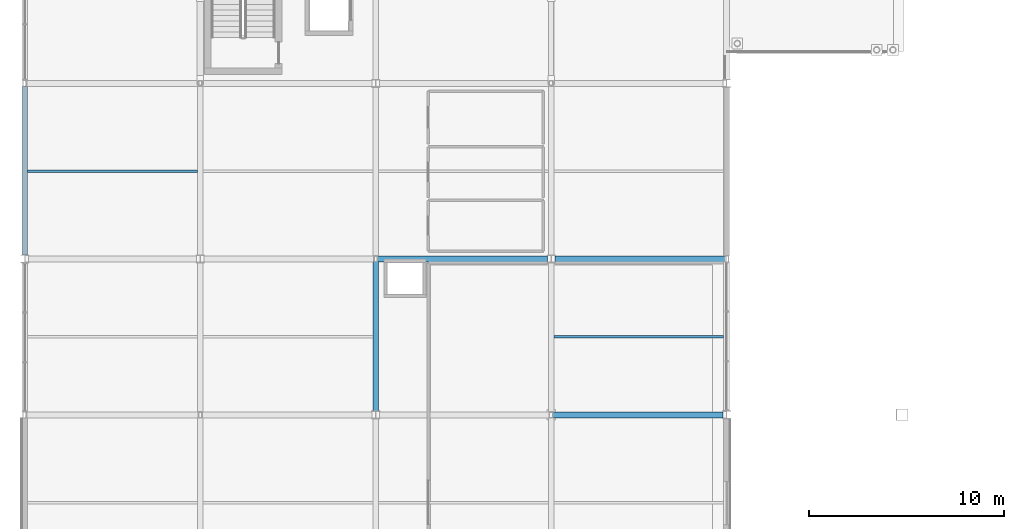
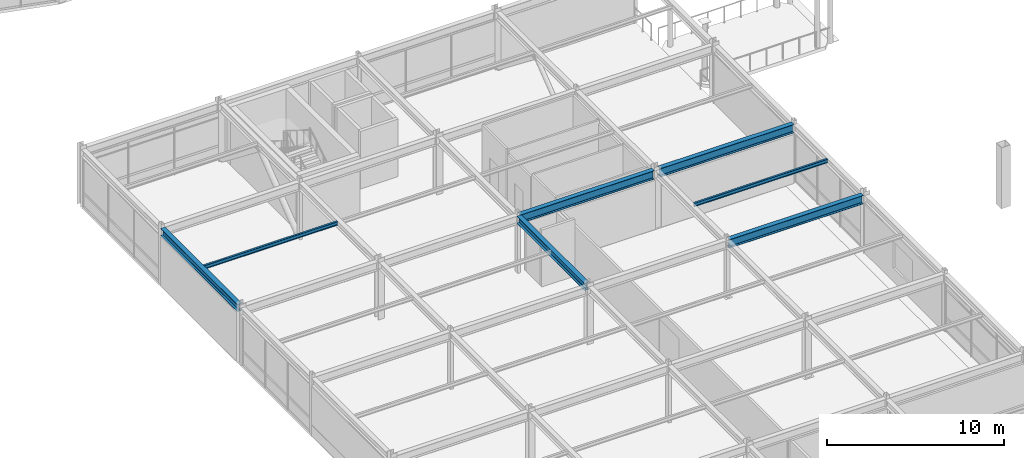
# One storey, part 28 of 105: 7 beams.
"""IFC4 building model written with IfcOpenShell, lengths in metres."""

from ifc_helpers import new_model, si_unit, direction, frame, origin, origin_2d, place, context, subcontext, project, spatial, i_section, extrude, material, material_profile, profile_set, type_object, element, save


model = new_model("IFC4")

# Units and contexts
model_context = context("Model", 3, precision=1e-05, world=origin(), true_north=direction((0.0, 1.0)))
body_context = subcontext(model_context, "Body", "Model", "MODEL_VIEW")
ifc_project = project(units=[si_unit("LENGTHUNIT", "METRE"), si_unit("AREAUNIT", "SQUARE_METRE"), si_unit("VOLUMEUNIT", "CUBIC_METRE"), si_unit("PLANEANGLEUNIT", "RADIAN"), si_unit("MASSUNIT", "GRAM", prefix="KILO")], contexts=[model_context])

# Site, building, storey
site_placement = place(None, origin())
site = spatial("IfcSite", under=ifc_project, at=site_placement, CompositionType="ELEMENT")
building_placement = place(site_placement, origin())
building = spatial("IfcBuilding", under=site, at=building_placement, Name="Suzunagisa Mobility Hub", CompositionType="ELEMENT")
storey_placement = place(building_placement, frame((0.0, 0.0, 5.10009765625)))
storey = spatial("IfcBuildingStorey", under=building, at=storey_placement, Name="L01", CompositionType="ELEMENT", Elevation=5.10009765625)

# Beams
ifc_material_1 = material(Name="Steel SN490B", Category="steel")
ifc_material_profile_1 = material_profile(ifc_material_1, i_section(OverallWidth=0.300048828125, OverallDepth=0.488037109375, WebThickness=0.010986328125, FlangeThickness=0.01806640625, FilletRadius=0.012939453125, at=origin_2d()), Name="H-488x300x11x18")
ifc_profile_set_1 = profile_set([ifc_material_profile_1], Name="Steel SN490B")
beam_type_1 = type_object("IfcBeamType", Name="Steel Beam BM-06 H-488x300x11x18", PredefinedType="BEAM", material=ifc_profile_set_1)
beam_1_placement = place(storey_placement, frame((0.0, 44.196044921875, 3.7158203125), z_axis=(0.0, 1.0, 0.0), x_axis=(-1.0, 0.0, 0.0)))
element("IfcBeam", 1, at=beam_1_placement, inside=storey, type_object=beam_type_1, Name="L01 Primary Girder GY-211", PredefinedType="BEAM", context=body_context, shape_type="SweptSolid", body=[
    extrude(i_section(OverallWidth=0.300048828125, OverallDepth=0.488037109375, WebThickness=0.010986328125, FlangeThickness=0.01806640625, FilletRadius=0.012939453125, at=origin_2d()), origin(), (0.0, 0.0, 1.0), 8.657958984375),
])
beam_2_placement = place(storey_placement, frame((18.0, 36.196044921875, 3.7158203125), z_axis=(0.0, 1.0, 0.0), x_axis=(-1.0, 0.0, 0.0)))
element("IfcBeam", 2, at=beam_2_placement, inside=storey, type_object=beam_type_1, Name="L01 Primary Girder GY-222", PredefinedType="BEAM", context=body_context, shape_type="SweptSolid", body=[
    extrude(i_section(OverallWidth=0.300048828125, OverallDepth=0.488037109375, WebThickness=0.010986328125, FlangeThickness=0.01806640625, FilletRadius=0.012939453125, at=origin_2d()), origin(), (0.0, 0.0, 1.0), 7.657958984375),
])
ifc_material_profile_2 = material_profile(ifc_material_1, i_section(OverallWidth=0.300048828125, OverallDepth=0.587890625, WebThickness=0.011962890625, FlangeThickness=0.02001953125, FilletRadius=0.012939453125, at=origin_2d()), Name="H-588x300x12x20")
ifc_profile_set_2 = profile_set([ifc_material_profile_2], Name="Steel SN490B")
beam_type_2 = type_object("IfcBeamType", Name="Steel Beam BM-16 H-588x300x12x20", PredefinedType="BEAM", material=ifc_profile_set_2)
for number, where, z_axis, x_axis, name in (
    (3, (27.095947265625, 36.0, 3.666015625), (1.0, 0.0, 0.0), (0.0, 1.0, 0.0), "L01 Primary Girder GX-195"),
    (4, (18.095947265625, 44.0, 3.666015625), (1.0, 0.0, 0.0), (0.0, 1.0, 0.0), "L01 Primary Girder GX-198"),
    (5, (27.196044921875, 44.0, 3.666015625), (1.0, 0.0, 0.0), (0.0, 1.0, 0.0), "L01 Primary Girder GX-199"),
):
    element("IfcBeam", number, at=place(storey_placement, frame(where, z_axis=z_axis, x_axis=x_axis)), inside=storey, type_object=beam_type_2, Name=name, PredefinedType="BEAM", context=body_context, shape_type="SweptSolid", body=[
        extrude(i_section(OverallWidth=0.300048828125, OverallDepth=0.587890625, WebThickness=0.011962890625, FlangeThickness=0.02001953125, FilletRadius=0.012939453125, at=origin_2d()), origin(), (0.0, 0.0, 1.0), 8.7080078125),
    ])
ifc_material_2 = material(Name="Steel SN400B", Category="steel")
ifc_material_profile_3 = material_profile(ifc_material_2, i_section(OverallWidth=0.125, OverallDepth=0.25, WebThickness=0.006103515625, FlangeThickness=0.009033203125, FilletRadius=0.008056640625, at=origin_2d()), Name="H-250x125x6x9")
ifc_profile_set_3 = profile_set([ifc_material_profile_3], Name="Steel SN400B")
beam_type_3 = type_object("IfcBeamType", Name="Steel Beam BM-21 H-250x125x6x9", PredefinedType="JOIST", material=ifc_profile_set_3)
for number, where, z_axis, x_axis, name in (
    (6, (0.14990234375, 48.5, 3.8349609375), (1.0, 0.0, 0.0), (0.0, 1.0, 0.0), "L01 Composite Floor Joist J-241"),
    (7, (27.14990234375, 40.0, 3.8349609375), (1.0, 0.0, 0.0), (0.0, 1.0, 0.0), "L01 Composite Floor Joist J-255"),
):
    element("IfcBeam", number, at=place(storey_placement, frame(where, z_axis=z_axis, x_axis=x_axis)), inside=storey, type_object=beam_type_3, Name=name, PredefinedType="JOIST", context=body_context, shape_type="SweptSolid", body=[
        extrude(i_section(OverallWidth=0.125, OverallDepth=0.25, WebThickness=0.006103515625, FlangeThickness=0.009033203125, FilletRadius=0.008056640625, at=origin_2d()), origin(), (0.0, 0.0, 1.0), 8.7001953125),
    ])

save(model, "model.ifc")
